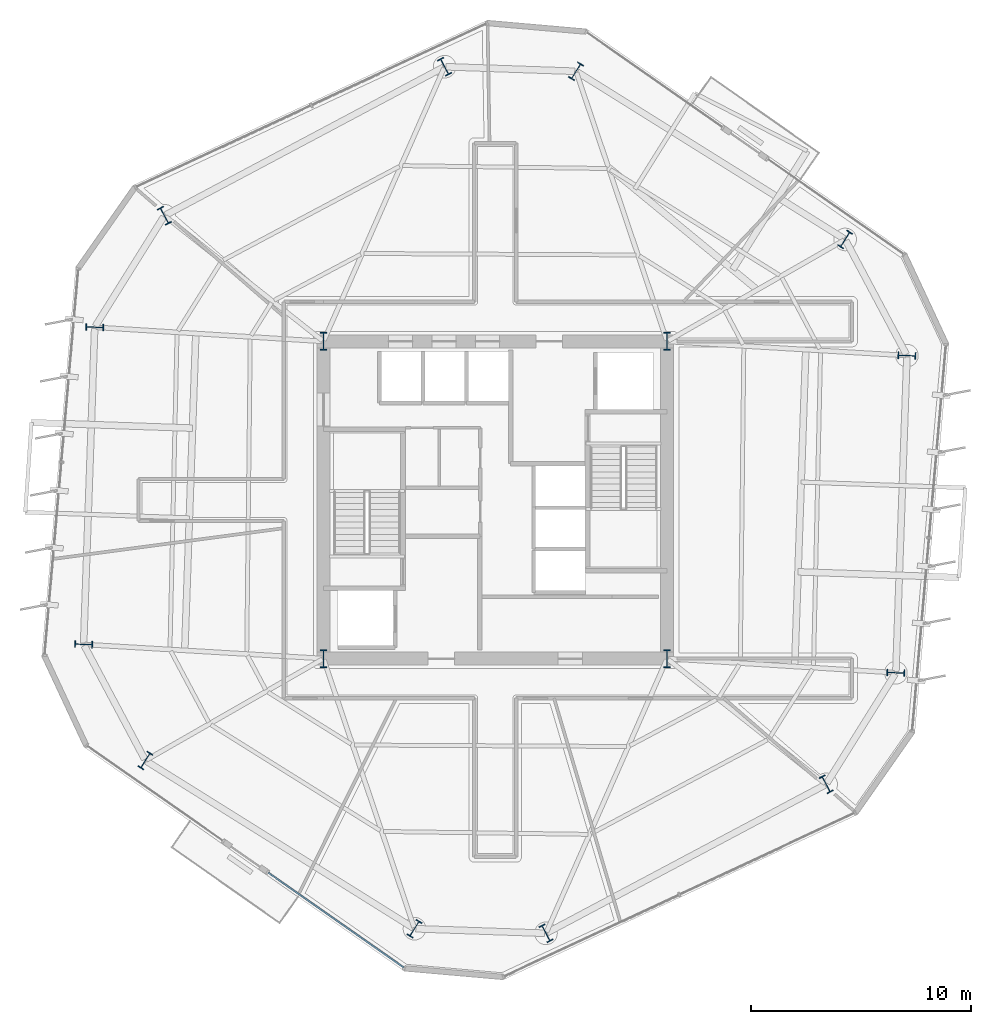
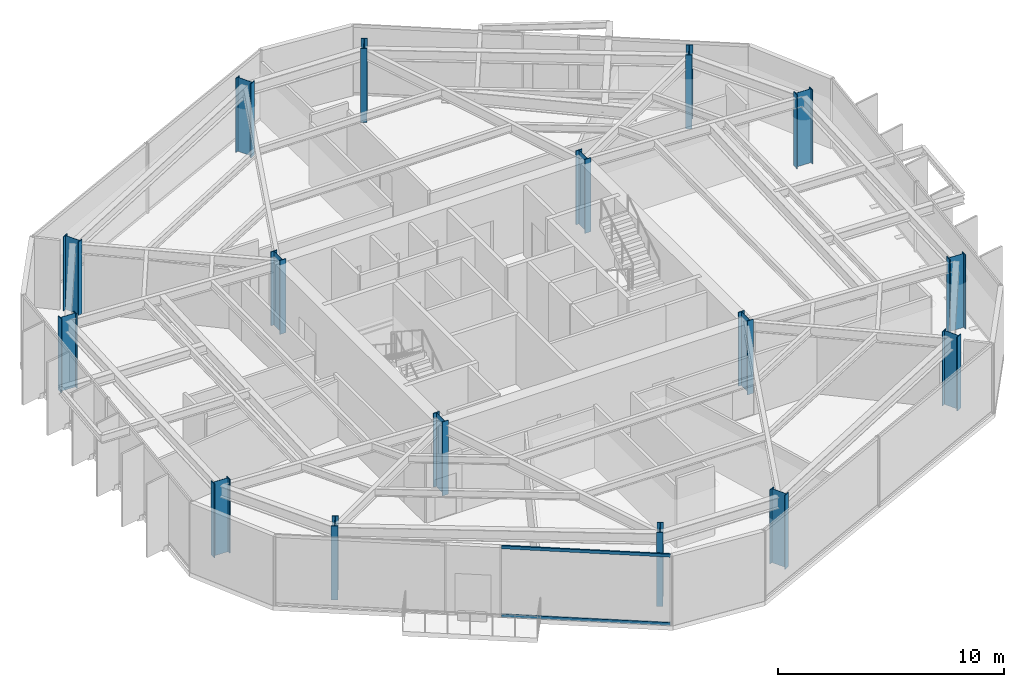
# One storey, part 1 of 12: 16 columns, 2 members, 1 element without a shape of its own.
"""IFC4 building model written with IfcOpenShell, lengths in metres."""

from ifc_helpers import new_model, si_unit, direction, frame, origin, origin_2d, place, context, subcontext, project, spatial, rectangle, i_section, extrude, material, layer, layer_set, material_profile, profile_set, type_object, element, aggregate, save


model = new_model("IFC4")

# Units and contexts
model_context = context("Model", 3, precision=1e-05, world=origin(), true_north=direction((0.0, 1.0)))
body_context = subcontext(model_context, "Body", "Model", "MODEL_VIEW")
ifc_project = project(units=[si_unit("LENGTHUNIT", "METRE"), si_unit("AREAUNIT", "SQUARE_METRE"), si_unit("VOLUMEUNIT", "CUBIC_METRE"), si_unit("PLANEANGLEUNIT", "RADIAN"), si_unit("MASSUNIT", "GRAM", prefix="KILO")], contexts=[model_context])

# Site, building, storey
site_placement = place(None, origin())
site = spatial("IfcSite", under=ifc_project, at=site_placement, CompositionType="ELEMENT")
building_placement = place(site_placement, origin())
building = spatial("IfcBuilding", under=site, at=building_placement, Name="Kranzbogen Civic Tower", CompositionType="ELEMENT")
storey_placement = place(building_placement, frame((0.0, 0.0, 122.39990234375)))
storey = spatial("IfcBuildingStorey", under=building, at=storey_placement, Name="L29", CompositionType="ELEMENT", Elevation=122.39990234375)

# Columns
ifc_material_1 = material(Name="Steel S460", Category="steel")
ifc_material_profile_1 = material_profile(ifc_material_1, i_section(OverallWidth=0.302978515625, OverallDepth=0.81396484375, WebThickness=0.02099609375, FlangeThickness=0.0400390625, at=origin_2d()), Name="HEM 800")
ifc_profile_set_1 = profile_set([ifc_material_profile_1], Name="Steel S460")
column_type = type_object("IfcColumnType", Name="Structural Column HEM 800", PredefinedType="COLUMN", material=ifc_profile_set_1)
for number, where, z_axis, x_axis, name in (
    (1, (17.199951171875, 17.800048828125, 0.0), (0.0, 0.0, 1.0), (1.0, 0.0, 0.0), "L29 composite core corner column 1"),
    (2, (32.800048828125, 17.800048828125, 0.0), (0.0, 0.0, 1.0), (1.0, 0.0, 0.0), "L29 composite core corner column 2"),
    (3, (32.800048828125, 32.199951171875, 0.0), (0.0, 0.0, 1.0), (1.0, 0.0, 0.0), "L29 composite core corner column 3"),
    (4, (17.199951171875, 32.199951171875, 0.0), (0.0, 0.0, 1.0), (1.0, 0.0, 0.0), "L29 composite core corner column 4"),
    (5, (40.885986328125, 36.8291015625, 0.0), (0.0, 0.0, 1.0), (-0.848048096156, 0.529919264233, 0.0), "L29 tower perimeter tube column 01"),
    (6, (28.66796875, 44.464111328125, 0.0), (0.0, 0.0, 1.0), (-0.848048096156, 0.529919264233, 0.0), "L29 tower perimeter tube column 02"),
    (7, (22.698974609375, 44.672119140625, 0.0), (0.0, 0.0, 1.0), (0.882947592859, 0.469471562786, 0.0), "L29 tower perimeter tube column 03"),
    (8, (9.97705078125, 37.907958984375, 0.0), (0.0, 0.0, 1.0), (0.882947592859, 0.469471562786, 0.0), "L29 tower perimeter tube column 04"),
    (9, (6.81298828125, 32.843994140625, 0.0), (0.0, 0.0, 1.0), (0.034899496703, 0.999390827019, 0.0), "L29 tower perimeter tube column 05"),
    (10, (6.31005859375, 18.444091796875, 0.0), (0.0, 0.0, 1.0), (0.034899496703, 0.999390827019, 0.0), "L29 tower perimeter tube column 06"),
    (11, (9.114013671875, 13.1708984375, 0.0), (0.0, 0.0, 1.0), (-0.848048096156, 0.529919264233, 0.0), "L29 tower perimeter tube column 07"),
    (12, (21.33203125, 5.535888671875, 0.0), (0.0, 0.0, 1.0), (-0.848048096156, 0.529919264233, 0.0), "L29 tower perimeter tube column 08"),
    (13, (27.301025390625, 5.327880859375, 0.0), (0.0, 0.0, 1.0), (0.882947592859, 0.469471562786, 0.0), "L29 tower perimeter tube column 09"),
    (14, (40.02294921875, 12.092041015625, 0.0), (0.0, 0.0, 1.0), (0.882947592859, 0.469471562786, 0.0), "L29 tower perimeter tube column 10"),
    (15, (43.18701171875, 17.156005859375, 0.0), (0.0, 0.0, 1.0), (0.034899496703, 0.999390827019, 0.0), "L29 tower perimeter tube column 11"),
    (16, (43.68994140625, 31.555908203125, 0.0), (0.0, 0.0, 1.0), (0.034899496703, 0.999390827019, 0.0), "L29 tower perimeter tube column 12"),
):
    element("IfcColumn", number, at=place(storey_placement, frame(where, z_axis=z_axis, x_axis=x_axis)), inside=storey, type_object=column_type, Name=name, PredefinedType="COLUMN", context=body_context, shape_type="SweptSolid", body=[
        extrude(i_section(OverallWidth=0.302978515625, OverallDepth=0.81396484375, WebThickness=0.02099609375, FlangeThickness=0.0400390625, at=origin_2d()), origin(), (0.0, 0.0, 1.0), 4.0),
    ])

# Curtain wall, members
ifc_material_2 = material(Name="Pale Anodised Aluminium", Category="aluminium")
ifc_layer = layer(ifc_material_2, 0.219970703125, Name="Pale Anodised Aluminium")
ifc_layer_set = layer_set([ifc_layer], Name="Pale Anodised Aluminium")
curtain_wall_type = type_object("IfcCurtainWallType", Name="Zone 2 Stick Curtain Wall System CW-03", PredefinedType="USERDEFINED", material=ifc_layer_set)
curtain_wall_placement = place(storey_placement, origin())
curtain_wall = element("IfcCurtainWall", 17, at=curtain_wall_placement, inside=storey, type_object=curtain_wall_type, Name="L29 curtain wall CW-L29-F4-S2", ObjectType="STICK CURTAIN WALL", PredefinedType="USERDEFINED")
ifc_material_profile_2 = material_profile(ifc_material_2, rectangle(XDim=0.074951171875, YDim=0.1650390625, at=origin_2d()), Name="ALU-T 75x165")
ifc_profile_set_2 = profile_set([ifc_material_profile_2], Name="Pale Anodised Aluminium")
member_type = type_object("IfcMemberType", Name="Curtain Wall Transom ALU-T 75x165", PredefinedType="USERDEFINED", material=ifc_profile_set_2)
member_1_placement = place(storey_placement, frame((14.691162109375, 8.08154296875, 0.030029296875), z_axis=(0.819106752876, -0.573641113758, 0.0), x_axis=(0.573641113758, 0.819106752876, 0.0)))
member_1 = element("IfcMember", 18, at=member_1_placement, type_object=member_type, Name="CW-03 transom 1.1", ObjectType="TRANSOM", PredefinedType="USERDEFINED", context=body_context, shape_type="SweptSolid", body=[
    extrude(rectangle(XDim=0.074951171875, YDim=0.1650390625, at=origin_2d()), origin(), (0.0, 0.0, 1.0), 7.51513671875),
])
member_2_placement = place(storey_placement, frame((14.691162109375, 8.08154296875, 3.72998046875), z_axis=(0.819106752876, -0.573641113758, 0.0), x_axis=(0.573641113758, 0.819106752876, 0.0)))
member_2 = element("IfcMember", 19, at=member_2_placement, type_object=member_type, Name="CW-03 transom 1.2", ObjectType="TRANSOM", PredefinedType="USERDEFINED", context=body_context, shape_type="SweptSolid", body=[
    extrude(rectangle(XDim=0.074951171875, YDim=0.1650390625, at=origin_2d()), origin(), (0.0, 0.0, 1.0), 7.51513671875),
])
aggregate(curtain_wall, [member_1, member_2])

save(model, "model.ifc")
